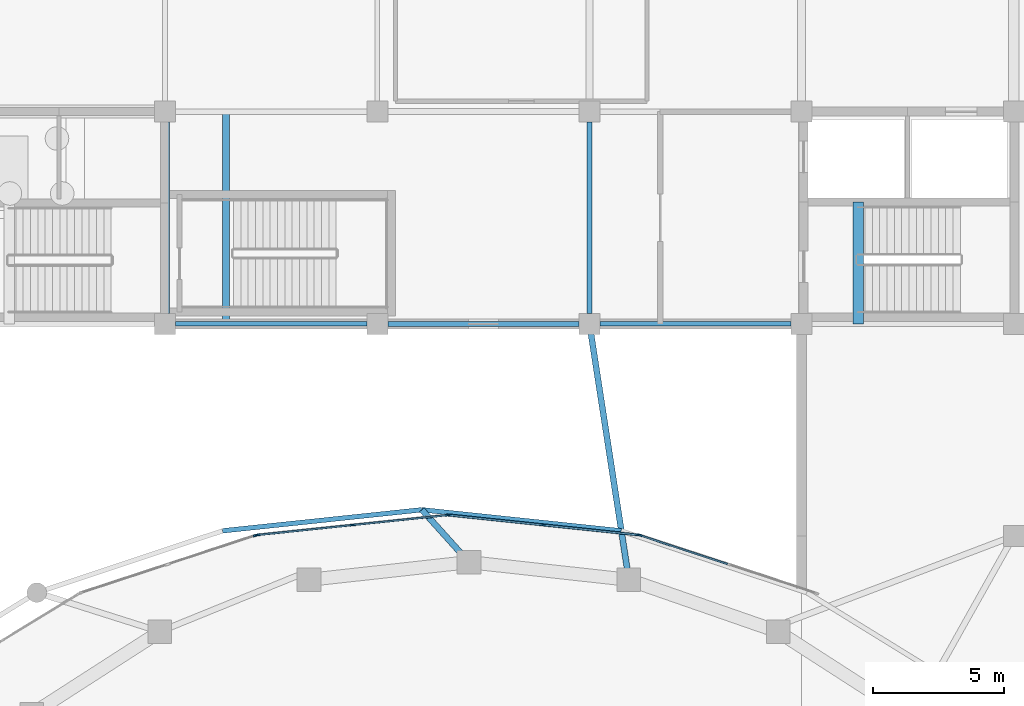
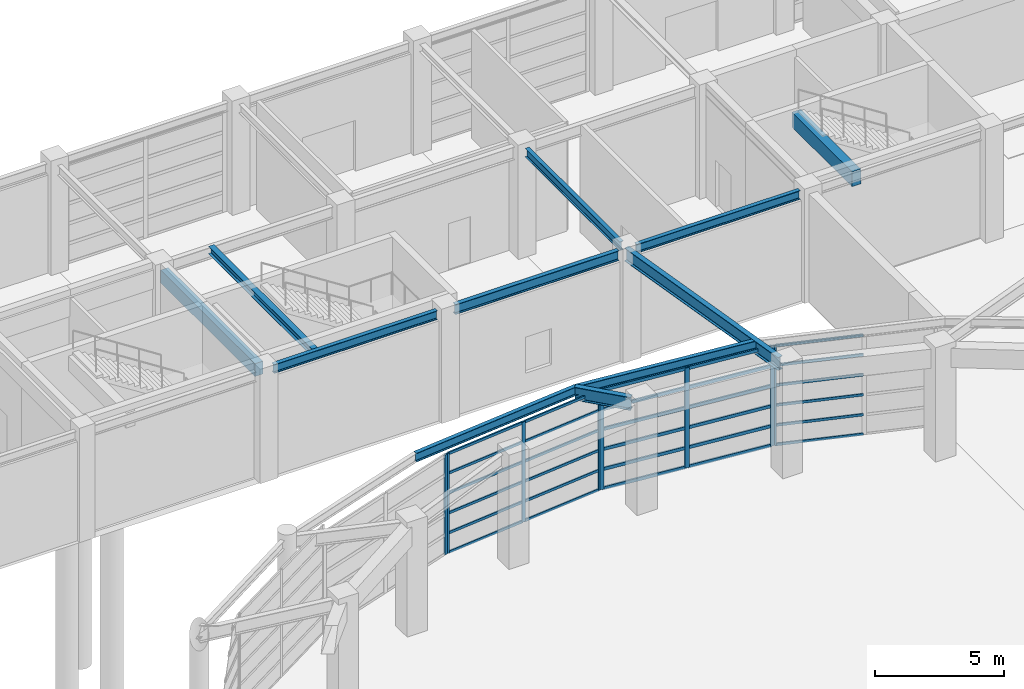
# One storey, part 17 of 52: 38 members, 11 beams, 4 elements without a shape of their own.
"""IFC4 building model written with IfcOpenShell, lengths in metres."""

from ifc_helpers import new_model, si_unit, direction, frame, origin, origin_2d, place, context, subcontext, project, spatial, rectangle, i_section, extrude, material, material_profile, profile_set, type_object, element, aggregate, save


model = new_model("IFC4")

# Units and contexts
model_context = context("Model", 3, precision=1e-05, world=origin(), true_north=direction((0.0, 1.0)))
body_context = subcontext(model_context, "Body", "Model", "MODEL_VIEW")
ifc_project = project(units=[si_unit("LENGTHUNIT", "METRE"), si_unit("AREAUNIT", "SQUARE_METRE"), si_unit("VOLUMEUNIT", "CUBIC_METRE"), si_unit("PLANEANGLEUNIT", "RADIAN"), si_unit("MASSUNIT", "GRAM", prefix="KILO")], contexts=[model_context])

# Site, building, storey
site_placement = place(None, origin())
site = spatial("IfcSite", under=ifc_project, at=site_placement, CompositionType="ELEMENT")
building_placement = place(site_placement, origin())
building = spatial("IfcBuilding", under=site, at=building_placement, Name="Parian Resonance Hall", CompositionType="ELEMENT")
storey_placement = place(building_placement, origin())
storey = spatial("IfcBuildingStorey", under=building, at=storey_placement, Name="L00", CompositionType="ELEMENT", Elevation=0.0)

# Beams
ifc_material_1 = material(Name="Concrete C40/50", Category="concrete")
ifc_material_profile_1 = material_profile(ifc_material_1, rectangle(XDim=0.35009765625, YDim=0.60009765625, at=origin_2d()), Name="RC-BM-350x600")
ifc_profile_set_1 = profile_set([ifc_material_profile_1], Name="Concrete C40/50")
beam_type_1 = type_object("IfcBeamType", Name="BM-RC350x600", PredefinedType="BEAM", material=ifc_profile_set_1)
beam_1_placement = place(storey_placement, frame((32.39990234375, 73.300048828125, 4.800048828125), z_axis=(0.0, 1.0, 0.0), x_axis=(-1.0, 0.0, 0.0)))
element("IfcBeam", 1, at=beam_1_placement, inside=storey, type_object=beam_type_1, Name="GY-L00-0416", PredefinedType="BEAM", context=body_context, shape_type="SweptSolid", body=[
    extrude(rectangle(XDim=0.35009765625, YDim=0.60009765625, at=origin_2d()), origin(), (0.0, 0.0, 1.0), 7.300048828125),
])
ifc_material_2 = material(Name="Concrete C40/50", Category="concrete")
ifc_material_profile_2 = material_profile(ifc_material_2, rectangle(XDim=0.39990234375, YDim=0.699951171875, at=origin_2d()), Name="RC-BM-400x700")
ifc_profile_set_2 = profile_set([ifc_material_profile_2], Name="Concrete C40/50")
beam_type_2 = type_object("IfcBeamType", Name="BM-RC400x700", PredefinedType="BEAM", material=ifc_profile_set_2)
beam_2_placement = place(storey_placement, frame((58.860107421875, 72.89990234375, 4.800048828125), z_axis=(0.0, 1.0, 0.0), x_axis=(-1.0, 0.0, 0.0)))
element("IfcBeam", 2, at=beam_2_placement, inside=storey, type_object=beam_type_2, Name="Core K1 stair arrival trimmer beam L00", PredefinedType="BEAM", context=body_context, shape_type="SweptSolid", body=[
    extrude(rectangle(XDim=0.39990234375, YDim=0.699951171875, at=origin_2d()), origin(), (0.0, 0.0, 1.0), 4.650146484375),
])
ifc_material_3 = material(Name="Steel S355", Category="steel")
ifc_material_profile_3 = material_profile(ifc_material_3, i_section(OverallWidth=0.2548828125, OverallDepth=0.35693359375, WebThickness=0.010498046875, FlangeThickness=0.018310546875, FilletRadius=0.01513671875, at=origin_2d()), Name="W360x101")
ifc_profile_set_3 = profile_set([ifc_material_profile_3], Name="Steel S355")
beam_type_3 = type_object("IfcBeamType", Name="BM-W360x101", PredefinedType="SPANDREL", material=ifc_profile_set_3)
beam_3_placement = place(storey_placement, frame((34.719970703125, 72.89990234375, 4.971435546875), z_axis=(0.0, 1.0, 0.0), x_axis=(-1.0, 0.0, 0.0)))
element("IfcBeam", 3, at=beam_3_placement, inside=storey, type_object=beam_type_3, Name="Feature stair ST-07 arrival header beam L00", PredefinedType="SPANDREL", context=body_context, shape_type="SweptSolid", body=[
    extrude(i_section(OverallWidth=0.2548828125, OverallDepth=0.35693359375, WebThickness=0.010498046875, FlangeThickness=0.018310546875, FilletRadius=0.01513671875, at=origin_2d()), origin(), (0.0, 0.0, 1.0), 8.10009765625),
])
ifc_material_4 = material(Name="Steel S355", Category="steel")
ifc_material_profile_4 = material_profile(ifc_material_4, i_section(OverallWidth=0.180908203125, OverallDepth=0.4169921875, WebThickness=0.010986328125, FlangeThickness=0.018310546875, FilletRadius=0.01513671875, at=origin_2d()), Name="W410x85")
ifc_profile_set_4 = profile_set([ifc_material_profile_4], Name="Steel S355")
beam_type_4 = type_object("IfcBeamType", Name="BM-W410x85", PredefinedType="SPANDREL", material=ifc_profile_set_4)
for number, where, z_axis, x_axis, name in (
    (4, (32.800048828125, 72.89990234375, 4.94140625), (1.0, 0.0, 0.0), (0.0, 1.0, 0.0), "GX-L00-0292"),
    (5, (49.0, 72.89990234375, 4.94140625), (1.0, 0.0, 0.0), (0.0, 1.0, 0.0), "GX-L00-0298"),
    (6, (48.60009765625, 73.300048828125, 4.94140625), (0.0, 1.0, 0.0), (-1.0, 0.0, 0.0), "GY-L00-0419"),
):
    element("IfcBeam", number, at=place(storey_placement, frame(where, z_axis=z_axis, x_axis=x_axis)), inside=storey, type_object=beam_type_4, Name=name, PredefinedType="SPANDREL", context=body_context, shape_type="SweptSolid", body=[
        extrude(i_section(OverallWidth=0.180908203125, OverallDepth=0.4169921875, WebThickness=0.010986328125, FlangeThickness=0.018310546875, FilletRadius=0.01513671875, at=origin_2d()), origin(), (0.0, 0.0, 1.0), 7.300048828125),
    ])
beam_4_placement = place(storey_placement, frame((49.809326171875, 64.995849609375, 4.92138671875), z_axis=(-0.994461658712, 0.105099996913, 0.0), x_axis=(-0.105099996913, -0.994461658712, 0.0)))
element("IfcBeam", 7, at=beam_4_placement, inside=storey, type_object=beam_type_4, Name="Elliptical R1 perimeter spandrel beam 06", PredefinedType="SPANDREL", context=body_context, shape_type="SweptSolid", body=[
    extrude(i_section(OverallWidth=0.180908203125, OverallDepth=0.4169921875, WebThickness=0.010986328125, FlangeThickness=0.018310546875, FilletRadius=0.01513671875, at=origin_2d()), origin(), (0.0, 0.0, 1.0), 7.65185546875),
])
beam_5_placement = place(storey_placement, frame((42.199951171875, 65.800048828125, 4.92138671875), z_axis=(-0.994461306256, -0.105103331819, 0.0), x_axis=(0.105103331819, -0.994461306256, 0.0)))
element("IfcBeam", 8, at=beam_5_placement, inside=storey, type_object=beam_type_4, Name="Elliptical R1 perimeter spandrel beam 07", PredefinedType="SPANDREL", context=body_context, shape_type="SweptSolid", body=[
    extrude(i_section(OverallWidth=0.180908203125, OverallDepth=0.4169921875, WebThickness=0.010986328125, FlangeThickness=0.018310546875, FilletRadius=0.01513671875, at=origin_2d()), origin(), (0.0, 0.0, 1.0), 7.651611328125),
])
ifc_material_5 = material(Name="Steel S355", Category="steel")
ifc_material_profile_5 = material_profile(ifc_material_5, i_section(OverallWidth=0.194091796875, OverallDepth=0.468994140625, WebThickness=0.0126953125, FlangeThickness=0.0205078125, FilletRadius=0.01513671875, at=origin_2d()), Name="W460x106")
ifc_profile_set_5 = profile_set([ifc_material_profile_5], Name="Steel S355")
beam_type_5 = type_object("IfcBeamType", Name="BM-W460x106", PredefinedType="SPANDREL", material=ifc_profile_set_5)
beam_6_placement = place(storey_placement, frame((40.89990234375, 72.89990234375, 4.91552734375), z_axis=(1.0, 0.0, 0.0), x_axis=(0.0, 1.0, 0.0)))
element("IfcBeam", 9, at=beam_6_placement, inside=storey, type_object=beam_type_5, Name="GX-L00-0295", PredefinedType="SPANDREL", context=body_context, shape_type="SweptSolid", body=[
    extrude(i_section(OverallWidth=0.194091796875, OverallDepth=0.468994140625, WebThickness=0.0126953125, FlangeThickness=0.0205078125, FilletRadius=0.01513671875, at=origin_2d()), origin(), (0.0, 0.0, 1.0), 7.300048828125),
])
ifc_material_6 = material(Name="Steel S355", Category="steel")
ifc_material_profile_6 = material_profile(ifc_material_6, i_section(OverallWidth=0.22998046875, OverallDepth=0.616943359375, WebThickness=0.01318359375, FlangeThickness=0.022216796875, FilletRadius=0.017822265625, at=origin_2d()), Name="W610x140")
ifc_profile_set_6 = profile_set([ifc_material_profile_6], Name="Steel S355")
beam_type_6 = type_object("IfcBeamType", Name="CG1 W610x140", PredefinedType="USERDEFINED", material=ifc_profile_set_6)
beam_7_placement = place(storey_placement, frame((50.044921875, 63.520263671875, 4.821533203125), z_axis=(-0.152242761147, 0.988343129524, 0.0), x_axis=(-0.988343129524, -0.152242761147, 0.0)))
element("IfcBeam", 10, at=beam_7_placement, inside=storey, type_object=beam_type_6, Name="Radial spine girder R1-06", ObjectType="GIRDER", PredefinedType="USERDEFINED", context=body_context, shape_type="SweptSolid", body=[
    extrude(i_section(OverallWidth=0.22998046875, OverallDepth=0.616943359375, WebThickness=0.01318359375, FlangeThickness=0.022216796875, FilletRadius=0.017822265625, at=origin_2d()), origin(), (0.0, 0.0, 1.0), 9.490234375),
])
beam_8_placement = place(storey_placement, frame((43.732421875, 64.097412109375, 4.821533203125), z_axis=(-0.668988284372, 0.743272948097, 0.0), x_axis=(-0.743272948097, -0.668988284372, 0.0)))
element("IfcBeam", 11, at=beam_8_placement, inside=storey, type_object=beam_type_6, Name="Radial ring cantilever girder R1-07", ObjectType="GIRDER", PredefinedType="USERDEFINED", context=body_context, shape_type="SweptSolid", body=[
    extrude(i_section(OverallWidth=0.22998046875, OverallDepth=0.616943359375, WebThickness=0.01318359375, FlangeThickness=0.022216796875, FilletRadius=0.017822265625, at=origin_2d()), origin(), (0.0, 0.0, 1.0), 2.290771484375),
])

# Curtain wall, member
ifc_material_7 = material(Name="Bronze-anodised aluminium frame", Category="aluminium")
curtain_wall_type_1 = type_object("IfcCurtainWallType", Name="CW-SYS-05", PredefinedType="NOTDEFINED", material=ifc_material_7)
curtain_wall_1_placement = place(storey_placement, origin())
curtain_wall_1 = element("IfcCurtainWall", 12, at=curtain_wall_1_placement, inside=storey, type_object=curtain_wall_type_1, Name="Grand foyer recessed base curtain wall 05", PredefinedType="NOTDEFINED")
ifc_material_8 = material(Name="Bronze-anodised aluminium frame", Category="aluminium")
ifc_material_profile_7 = material_profile(ifc_material_8, rectangle(XDim=0.06494140625, YDim=0.159912109375, at=origin_2d()), Name="CWM-65x160")
ifc_profile_set_7 = profile_set([ifc_material_profile_7], Name="Bronze-anodised aluminium frame")
member_type_1 = type_object("IfcMemberType", Name="CWM-65x160", PredefinedType="MULLION", material=ifc_profile_set_7)
member_1_placement = place(storey_placement, frame((50.529541015625, 64.82666015625, -0.008056640625), z_axis=(0.0, 0.0, 1.0), x_axis=(0.312529813739, 0.94990795108, 0.0)))
member_1 = element("IfcMember", 13, at=member_1_placement, type_object=member_type_1, Name="CW-05 mullion 1", PredefinedType="MULLION", context=body_context, shape_type="SweptSolid", body=[
    extrude(rectangle(XDim=0.06494140625, YDim=0.159912109375, at=origin_2d()), origin(), (0.0, 0.0, 1.0), 4.72509765625),
])

# Curtain wall, members
ifc_material_9 = material(Name="Bronze-anodised aluminium frame", Category="aluminium")
curtain_wall_type_2 = type_object("IfcCurtainWallType", Name="CW-SYS-01", PredefinedType="NOTDEFINED", material=ifc_material_9)
curtain_wall_2_placement = place(storey_placement, origin())
curtain_wall_2 = element("IfcCurtainWall", 14, at=curtain_wall_2_placement, inside=storey, type_object=curtain_wall_type_2, Name="Grand foyer recessed base curtain wall 07", PredefinedType="NOTDEFINED")
member_2_placement = place(storey_placement, frame((35.93359375, 64.840087890625, -0.008056640625), z_axis=(0.0, 0.0, 1.0), x_axis=(-0.104013017637, 0.994575935845, 0.0)))
member_2 = element("IfcMember", 15, at=member_2_placement, type_object=member_type_1, Name="CW-01 mullion 1", PredefinedType="MULLION", context=body_context, shape_type="SweptSolid", body=[
    extrude(rectangle(XDim=0.06494140625, YDim=0.159912109375, at=origin_2d()), origin(), (0.0, 0.0, 1.0), 4.72509765625),
])
member_3_placement = place(storey_placement, frame((39.550537109375, 65.21826171875, -0.008056640625), z_axis=(0.0, 0.0, 1.0), x_axis=(-0.104013017637, 0.994575935845, 0.0)))
member_3 = element("IfcMember", 16, at=member_3_placement, type_object=member_type_1, Name="CW-01 mullion 2", PredefinedType="MULLION", context=body_context, shape_type="SweptSolid", body=[
    extrude(rectangle(XDim=0.06494140625, YDim=0.159912109375, at=origin_2d()), origin(), (0.0, 0.0, 1.0), 4.72509765625),
])
member_4_placement = place(storey_placement, frame((43.167724609375, 65.5966796875, -0.008056640625), z_axis=(0.0, 0.0, 1.0), x_axis=(-0.104013017637, 0.994575935845, 0.0)))
member_4 = element("IfcMember", 17, at=member_4_placement, type_object=member_type_1, Name="CW-01 mullion 3", PredefinedType="MULLION", context=body_context, shape_type="SweptSolid", body=[
    extrude(rectangle(XDim=0.06494140625, YDim=0.159912109375, at=origin_2d()), origin(), (0.0, 0.0, 1.0), 4.72509765625),
])

ifc_material_10 = material(Name="Bronze-anodised aluminium frame", Category="aluminium")
curtain_wall_type_3 = type_object("IfcCurtainWallType", Name="CW-SYS-06", PredefinedType="NOTDEFINED", material=ifc_material_10)
curtain_wall_3_placement = place(storey_placement, origin())
curtain_wall_3 = element("IfcCurtainWall", 18, at=curtain_wall_3_placement, inside=storey, type_object=curtain_wall_type_3, Name="Grand foyer recessed base curtain wall 06", PredefinedType="NOTDEFINED")
ifc_material_11 = material(Name="Bronze-anodised aluminium frame", Category="aluminium")
ifc_material_profile_8 = material_profile(ifc_material_11, rectangle(XDim=0.074951171875, YDim=0.199951171875, at=origin_2d()), Name="CWM-75x200")
ifc_profile_set_8 = profile_set([ifc_material_profile_8], Name="Bronze-anodised aluminium frame")
member_type_2 = type_object("IfcMemberType", Name="CWM-75x200", PredefinedType="MULLION", material=ifc_profile_set_8)
member_5_placement = place(storey_placement, frame((43.2373046875, 65.59619140625, -0.008056640625), z_axis=(0.0, 0.0, 1.0), x_axis=(0.104013017637, 0.994575935845, 0.0)))
member_5 = element("IfcMember", 19, at=member_5_placement, type_object=member_type_2, Name="CW-06 mullion 1", PredefinedType="MULLION", context=body_context, shape_type="SweptSolid", body=[
    extrude(rectangle(XDim=0.074951171875, YDim=0.199951171875, at=origin_2d()), origin(), (0.0, 0.0, 1.0), 4.72509765625),
])
member_6_placement = place(storey_placement, frame((46.849365234375, 65.21826171875, -0.008056640625), z_axis=(0.0, 0.0, 1.0), x_axis=(0.104013017637, 0.994575935845, 0.0)))
member_6 = element("IfcMember", 20, at=member_6_placement, type_object=member_type_2, Name="CW-06 mullion 2", PredefinedType="MULLION", context=body_context, shape_type="SweptSolid", body=[
    extrude(rectangle(XDim=0.074951171875, YDim=0.199951171875, at=origin_2d()), origin(), (0.0, 0.0, 1.0), 4.72509765625),
])
member_7_placement = place(storey_placement, frame((50.46142578125, 64.840576171875, -0.008056640625), z_axis=(0.0, 0.0, 1.0), x_axis=(0.104013017637, 0.994575935845, 0.0)))
member_7 = element("IfcMember", 21, at=member_7_placement, type_object=member_type_2, Name="CW-06 mullion 3", PredefinedType="MULLION", context=body_context, shape_type="SweptSolid", body=[
    extrude(rectangle(XDim=0.074951171875, YDim=0.199951171875, at=origin_2d()), origin(), (0.0, 0.0, 1.0), 4.72509765625),
])

# Curtain wall, member
ifc_material_12 = material(Name="Bronze-anodised aluminium frame", Category="aluminium")
curtain_wall_type_4 = type_object("IfcCurtainWallType", Name="CW-SYS-02", PredefinedType="NOTDEFINED", material=ifc_material_12)
curtain_wall_4_placement = place(storey_placement, origin())
curtain_wall_4 = element("IfcCurtainWall", 22, at=curtain_wall_4_placement, inside=storey, type_object=curtain_wall_type_4, Name="Grand foyer recessed base curtain wall 08", PredefinedType="NOTDEFINED")
member_8_placement = place(storey_placement, frame((35.86572265625, 64.824951171875, -0.008056640625), z_axis=(0.0, 0.0, 1.0), x_axis=(-0.312529813739, 0.94990795108, 0.0)))
member_8 = element("IfcMember", 23, at=member_8_placement, type_object=member_type_2, Name="CW-02 mullion 3", PredefinedType="MULLION", context=body_context, shape_type="SweptSolid", body=[
    extrude(rectangle(XDim=0.074951171875, YDim=0.199951171875, at=origin_2d()), origin(), (0.0, 0.0, 1.0), 4.72509765625),
])
aggregate(curtain_wall_4, [member_8])

# Member
ifc_material_13 = material(Name="Bronze-anodised aluminium frame", Category="aluminium")
ifc_material_profile_9 = material_profile(ifc_material_13, rectangle(XDim=0.06494140625, YDim=0.1201171875, at=origin_2d()), Name="CWT-65x120")
ifc_profile_set_9 = profile_set([ifc_material_profile_9], Name="Bronze-anodised aluminium frame")
member_type_3 = type_object("IfcMemberType", Name="CWT-65x120", PredefinedType="USERDEFINED", material=ifc_profile_set_9)
member_9_placement = place(storey_placement, frame((50.560546875, 64.81640625, 0.0244140625), z_axis=(0.949903060423, -0.312544678084, 0.0), x_axis=(0.312544678084, 0.949903060423, 0.0)))
member_9 = element("IfcMember", 24, at=member_9_placement, type_object=member_type_3, Name="CW-05 transom 1.1", ObjectType="TRANSOM", PredefinedType="USERDEFINED", context=body_context, shape_type="SweptSolid", body=[
    extrude(rectangle(XDim=0.06494140625, YDim=0.1201171875, at=origin_2d()), origin(), (0.0, 0.0, 1.0), 3.482421875),
])

member_10_placement = place(storey_placement, frame((50.560546875, 64.81640625, 0.94140625), z_axis=(0.949903060423, -0.312544678084, 0.0), x_axis=(0.312544678084, 0.949903060423, 0.0)))
member_10 = element("IfcMember", 25, at=member_10_placement, type_object=member_type_3, Name="CW-05 transom 1.2", ObjectType="TRANSOM", PredefinedType="USERDEFINED", context=body_context, shape_type="SweptSolid", body=[
    extrude(rectangle(XDim=0.06494140625, YDim=0.1201171875, at=origin_2d()), origin(), (0.0, 0.0, 1.0), 3.482421875),
])

member_11_placement = place(storey_placement, frame((50.560546875, 64.81640625, 1.8828125), z_axis=(0.949903060423, -0.312544678084, 0.0), x_axis=(0.312544678084, 0.949903060423, 0.0)))
member_11 = element("IfcMember", 26, at=member_11_placement, type_object=member_type_3, Name="CW-05 transom 1.3", ObjectType="TRANSOM", PredefinedType="USERDEFINED", context=body_context, shape_type="SweptSolid", body=[
    extrude(rectangle(XDim=0.06494140625, YDim=0.1201171875, at=origin_2d()), origin(), (0.0, 0.0, 1.0), 3.482421875),
])

member_12_placement = place(storey_placement, frame((50.560546875, 64.81640625, 2.82421875), z_axis=(0.949903060423, -0.312544678084, 0.0), x_axis=(0.312544678084, 0.949903060423, 0.0)))
member_12 = element("IfcMember", 27, at=member_12_placement, type_object=member_type_3, Name="CW-05 transom 1.4", ObjectType="TRANSOM", PredefinedType="USERDEFINED", context=body_context, shape_type="SweptSolid", body=[
    extrude(rectangle(XDim=0.06494140625, YDim=0.1201171875, at=origin_2d()), origin(), (0.0, 0.0, 1.0), 3.482421875),
])

member_13_placement = place(storey_placement, frame((50.560546875, 64.81640625, 3.765625), z_axis=(0.949903060423, -0.312544678084, 0.0), x_axis=(0.312544678084, 0.949903060423, 0.0)))
member_13 = element("IfcMember", 28, at=member_13_placement, type_object=member_type_3, Name="CW-05 transom 1.5", ObjectType="TRANSOM", PredefinedType="USERDEFINED", context=body_context, shape_type="SweptSolid", body=[
    extrude(rectangle(XDim=0.06494140625, YDim=0.1201171875, at=origin_2d()), origin(), (0.0, 0.0, 1.0), 3.482421875),
])

member_14_placement = place(storey_placement, frame((50.560546875, 64.81640625, 4.6845703125), z_axis=(0.949903060423, -0.312544678084, 0.0), x_axis=(0.312544678084, 0.949903060423, 0.0)))
member_14 = element("IfcMember", 29, at=member_14_placement, type_object=member_type_3, Name="CW-05 transom 1.6", ObjectType="TRANSOM", PredefinedType="USERDEFINED", context=body_context, shape_type="SweptSolid", body=[
    extrude(rectangle(XDim=0.06494140625, YDim=0.1201171875, at=origin_2d()), origin(), (0.0, 0.0, 1.0), 3.482421875),
])

aggregate(curtain_wall_1, [member_1, member_9, member_10, member_11, member_12, member_13, member_14])

member_15_placement = place(storey_placement, frame((35.966064453125, 64.843505859375, 0.0244140625), z_axis=(0.994573410356, 0.104037163613, 0.0), x_axis=(-0.104037163613, 0.994573410356, 0.0)))
member_15 = element("IfcMember", 30, at=member_15_placement, type_object=member_type_3, Name="CW-01 transom 1.1", ObjectType="TRANSOM", PredefinedType="USERDEFINED", context=body_context, shape_type="SweptSolid", body=[
    extrude(rectangle(XDim=0.06494140625, YDim=0.1201171875, at=origin_2d()), origin(), (0.0, 0.0, 1.0), 3.571533203125),
])

member_16_placement = place(storey_placement, frame((35.966064453125, 64.843505859375, 0.94140625), z_axis=(0.994573410356, 0.104037163613, 0.0), x_axis=(-0.104037163613, 0.994573410356, 0.0)))
member_16 = element("IfcMember", 31, at=member_16_placement, type_object=member_type_3, Name="CW-01 transom 1.2", ObjectType="TRANSOM", PredefinedType="USERDEFINED", context=body_context, shape_type="SweptSolid", body=[
    extrude(rectangle(XDim=0.06494140625, YDim=0.1201171875, at=origin_2d()), origin(), (0.0, 0.0, 1.0), 3.571533203125),
])

member_17_placement = place(storey_placement, frame((35.966064453125, 64.843505859375, 1.8828125), z_axis=(0.994573410356, 0.104037163613, 0.0), x_axis=(-0.104037163613, 0.994573410356, 0.0)))
member_17 = element("IfcMember", 32, at=member_17_placement, type_object=member_type_3, Name="CW-01 transom 1.3", ObjectType="TRANSOM", PredefinedType="USERDEFINED", context=body_context, shape_type="SweptSolid", body=[
    extrude(rectangle(XDim=0.06494140625, YDim=0.1201171875, at=origin_2d()), origin(), (0.0, 0.0, 1.0), 3.571533203125),
])

member_18_placement = place(storey_placement, frame((35.966064453125, 64.843505859375, 2.82421875), z_axis=(0.994573410356, 0.104037163613, 0.0), x_axis=(-0.104037163613, 0.994573410356, 0.0)))
member_18 = element("IfcMember", 33, at=member_18_placement, type_object=member_type_3, Name="CW-01 transom 1.4", ObjectType="TRANSOM", PredefinedType="USERDEFINED", context=body_context, shape_type="SweptSolid", body=[
    extrude(rectangle(XDim=0.06494140625, YDim=0.1201171875, at=origin_2d()), origin(), (0.0, 0.0, 1.0), 3.571533203125),
])

member_19_placement = place(storey_placement, frame((35.966064453125, 64.843505859375, 3.765625), z_axis=(0.994573410356, 0.104037163613, 0.0), x_axis=(-0.104037163613, 0.994573410356, 0.0)))
member_19 = element("IfcMember", 34, at=member_19_placement, type_object=member_type_3, Name="CW-01 transom 1.5", ObjectType="TRANSOM", PredefinedType="USERDEFINED", context=body_context, shape_type="SweptSolid", body=[
    extrude(rectangle(XDim=0.06494140625, YDim=0.1201171875, at=origin_2d()), origin(), (0.0, 0.0, 1.0), 3.571533203125),
])

member_20_placement = place(storey_placement, frame((35.966064453125, 64.843505859375, 4.6845703125), z_axis=(0.994573410356, 0.104037163613, 0.0), x_axis=(-0.104037163613, 0.994573410356, 0.0)))
member_20 = element("IfcMember", 35, at=member_20_placement, type_object=member_type_3, Name="CW-01 transom 1.6", ObjectType="TRANSOM", PredefinedType="USERDEFINED", context=body_context, shape_type="SweptSolid", body=[
    extrude(rectangle(XDim=0.06494140625, YDim=0.1201171875, at=origin_2d()), origin(), (0.0, 0.0, 1.0), 3.571533203125),
])

member_21_placement = place(storey_placement, frame((39.5830078125, 65.2216796875, 0.0244140625), z_axis=(0.994573410356, 0.104037163613, 0.0), x_axis=(-0.104037163613, 0.994573410356, 0.0)))
member_21 = element("IfcMember", 36, at=member_21_placement, type_object=member_type_3, Name="CW-01 transom 2.1", ObjectType="TRANSOM", PredefinedType="USERDEFINED", context=body_context, shape_type="SweptSolid", body=[
    extrude(rectangle(XDim=0.06494140625, YDim=0.1201171875, at=origin_2d()), origin(), (0.0, 0.0, 1.0), 3.571533203125),
])

member_22_placement = place(storey_placement, frame((39.5830078125, 65.2216796875, 0.94140625), z_axis=(0.994573410356, 0.104037163613, 0.0), x_axis=(-0.104037163613, 0.994573410356, 0.0)))
member_22 = element("IfcMember", 37, at=member_22_placement, type_object=member_type_3, Name="CW-01 transom 2.2", ObjectType="TRANSOM", PredefinedType="USERDEFINED", context=body_context, shape_type="SweptSolid", body=[
    extrude(rectangle(XDim=0.06494140625, YDim=0.1201171875, at=origin_2d()), origin(), (0.0, 0.0, 1.0), 3.571533203125),
])

member_23_placement = place(storey_placement, frame((39.5830078125, 65.2216796875, 1.8828125), z_axis=(0.994573410356, 0.104037163613, 0.0), x_axis=(-0.104037163613, 0.994573410356, 0.0)))
member_23 = element("IfcMember", 38, at=member_23_placement, type_object=member_type_3, Name="CW-01 transom 2.3", ObjectType="TRANSOM", PredefinedType="USERDEFINED", context=body_context, shape_type="SweptSolid", body=[
    extrude(rectangle(XDim=0.06494140625, YDim=0.1201171875, at=origin_2d()), origin(), (0.0, 0.0, 1.0), 3.571533203125),
])

member_24_placement = place(storey_placement, frame((39.5830078125, 65.2216796875, 2.82421875), z_axis=(0.994573410356, 0.104037163613, 0.0), x_axis=(-0.104037163613, 0.994573410356, 0.0)))
member_24 = element("IfcMember", 39, at=member_24_placement, type_object=member_type_3, Name="CW-01 transom 2.4", ObjectType="TRANSOM", PredefinedType="USERDEFINED", context=body_context, shape_type="SweptSolid", body=[
    extrude(rectangle(XDim=0.06494140625, YDim=0.1201171875, at=origin_2d()), origin(), (0.0, 0.0, 1.0), 3.571533203125),
])

member_25_placement = place(storey_placement, frame((39.5830078125, 65.2216796875, 3.765625), z_axis=(0.994573410356, 0.104037163613, 0.0), x_axis=(-0.104037163613, 0.994573410356, 0.0)))
member_25 = element("IfcMember", 40, at=member_25_placement, type_object=member_type_3, Name="CW-01 transom 2.5", ObjectType="TRANSOM", PredefinedType="USERDEFINED", context=body_context, shape_type="SweptSolid", body=[
    extrude(rectangle(XDim=0.06494140625, YDim=0.1201171875, at=origin_2d()), origin(), (0.0, 0.0, 1.0), 3.571533203125),
])

member_26_placement = place(storey_placement, frame((39.5830078125, 65.2216796875, 4.6845703125), z_axis=(0.994573410356, 0.104037163613, 0.0), x_axis=(-0.104037163613, 0.994573410356, 0.0)))
member_26 = element("IfcMember", 41, at=member_26_placement, type_object=member_type_3, Name="CW-01 transom 2.6", ObjectType="TRANSOM", PredefinedType="USERDEFINED", context=body_context, shape_type="SweptSolid", body=[
    extrude(rectangle(XDim=0.06494140625, YDim=0.1201171875, at=origin_2d()), origin(), (0.0, 0.0, 1.0), 3.571533203125),
])

aggregate(curtain_wall_2, [member_2, member_3, member_4, member_15, member_16, member_17, member_18, member_19, member_20, member_21, member_22, member_23, member_24, member_25, member_26])

ifc_material_14 = material(Name="Bronze-anodised aluminium frame", Category="aluminium")
ifc_material_profile_10 = material_profile(ifc_material_14, rectangle(XDim=0.074951171875, YDim=0.14990234375, at=origin_2d()), Name="CWT-75x150")
ifc_profile_set_10 = profile_set([ifc_material_profile_10], Name="Bronze-anodised aluminium frame")
member_type_4 = type_object("IfcMemberType", Name="CWT-75x150", PredefinedType="USERDEFINED", material=ifc_profile_set_10)
member_27_placement = place(storey_placement, frame((43.274658203125, 65.59228515625, 0.029541015625), z_axis=(0.994570704653, -0.104063026313, 0.0), x_axis=(0.104063026313, 0.994570704653, 0.0)))
member_27 = element("IfcMember", 42, at=member_27_placement, type_object=member_type_4, Name="CW-06 transom 1.1", ObjectType="TRANSOM", PredefinedType="USERDEFINED", context=body_context, shape_type="SweptSolid", body=[
    extrude(rectangle(XDim=0.074951171875, YDim=0.14990234375, at=origin_2d()), origin(), (0.0, 0.0, 1.0), 3.556640625),
])

member_28_placement = place(storey_placement, frame((43.274658203125, 65.59228515625, 0.94140625), z_axis=(0.994570704653, -0.104063026313, 0.0), x_axis=(0.104063026313, 0.994570704653, 0.0)))
member_28 = element("IfcMember", 43, at=member_28_placement, type_object=member_type_4, Name="CW-06 transom 1.2", ObjectType="TRANSOM", PredefinedType="USERDEFINED", context=body_context, shape_type="SweptSolid", body=[
    extrude(rectangle(XDim=0.074951171875, YDim=0.14990234375, at=origin_2d()), origin(), (0.0, 0.0, 1.0), 3.556640625),
])

member_29_placement = place(storey_placement, frame((43.274658203125, 65.59228515625, 1.8828125), z_axis=(0.994570704653, -0.104063026313, 0.0), x_axis=(0.104063026313, 0.994570704653, 0.0)))
member_29 = element("IfcMember", 44, at=member_29_placement, type_object=member_type_4, Name="CW-06 transom 1.3", ObjectType="TRANSOM", PredefinedType="USERDEFINED", context=body_context, shape_type="SweptSolid", body=[
    extrude(rectangle(XDim=0.074951171875, YDim=0.14990234375, at=origin_2d()), origin(), (0.0, 0.0, 1.0), 3.556640625),
])

member_30_placement = place(storey_placement, frame((43.274658203125, 65.59228515625, 2.82421875), z_axis=(0.994570704653, -0.104063026313, 0.0), x_axis=(0.104063026313, 0.994570704653, 0.0)))
member_30 = element("IfcMember", 45, at=member_30_placement, type_object=member_type_4, Name="CW-06 transom 1.4", ObjectType="TRANSOM", PredefinedType="USERDEFINED", context=body_context, shape_type="SweptSolid", body=[
    extrude(rectangle(XDim=0.074951171875, YDim=0.14990234375, at=origin_2d()), origin(), (0.0, 0.0, 1.0), 3.556640625),
])

member_31_placement = place(storey_placement, frame((43.274658203125, 65.59228515625, 3.765625), z_axis=(0.994570704653, -0.104063026313, 0.0), x_axis=(0.104063026313, 0.994570704653, 0.0)))
member_31 = element("IfcMember", 46, at=member_31_placement, type_object=member_type_4, Name="CW-06 transom 1.5", ObjectType="TRANSOM", PredefinedType="USERDEFINED", context=body_context, shape_type="SweptSolid", body=[
    extrude(rectangle(XDim=0.074951171875, YDim=0.14990234375, at=origin_2d()), origin(), (0.0, 0.0, 1.0), 3.556640625),
])

member_32_placement = place(storey_placement, frame((43.274658203125, 65.59228515625, 4.679443359375), z_axis=(0.994570704653, -0.104063026313, 0.0), x_axis=(0.104063026313, 0.994570704653, 0.0)))
member_32 = element("IfcMember", 47, at=member_32_placement, type_object=member_type_4, Name="CW-06 transom 1.6", ObjectType="TRANSOM", PredefinedType="USERDEFINED", context=body_context, shape_type="SweptSolid", body=[
    extrude(rectangle(XDim=0.074951171875, YDim=0.14990234375, at=origin_2d()), origin(), (0.0, 0.0, 1.0), 3.556640625),
])

member_33_placement = place(storey_placement, frame((46.88671875, 65.21435546875, 0.029541015625), z_axis=(0.994577806818, -0.103995125773, 0.0), x_axis=(0.103995125773, 0.994577806818, 0.0)))
member_33 = element("IfcMember", 48, at=member_33_placement, type_object=member_type_4, Name="CW-06 transom 2.1", ObjectType="TRANSOM", PredefinedType="USERDEFINED", context=body_context, shape_type="SweptSolid", body=[
    extrude(rectangle(XDim=0.074951171875, YDim=0.14990234375, at=origin_2d()), origin(), (0.0, 0.0, 1.0), 3.556640625),
])

member_34_placement = place(storey_placement, frame((46.88671875, 65.21435546875, 0.94140625), z_axis=(0.994577806818, -0.103995125773, 0.0), x_axis=(0.103995125773, 0.994577806818, 0.0)))
member_34 = element("IfcMember", 49, at=member_34_placement, type_object=member_type_4, Name="CW-06 transom 2.2", ObjectType="TRANSOM", PredefinedType="USERDEFINED", context=body_context, shape_type="SweptSolid", body=[
    extrude(rectangle(XDim=0.074951171875, YDim=0.14990234375, at=origin_2d()), origin(), (0.0, 0.0, 1.0), 3.556640625),
])

member_35_placement = place(storey_placement, frame((46.88671875, 65.21435546875, 1.8828125), z_axis=(0.994577806818, -0.103995125773, 0.0), x_axis=(0.103995125773, 0.994577806818, 0.0)))
member_35 = element("IfcMember", 50, at=member_35_placement, type_object=member_type_4, Name="CW-06 transom 2.3", ObjectType="TRANSOM", PredefinedType="USERDEFINED", context=body_context, shape_type="SweptSolid", body=[
    extrude(rectangle(XDim=0.074951171875, YDim=0.14990234375, at=origin_2d()), origin(), (0.0, 0.0, 1.0), 3.556640625),
])

member_36_placement = place(storey_placement, frame((46.88671875, 65.21435546875, 2.82421875), z_axis=(0.994577806818, -0.103995125773, 0.0), x_axis=(0.103995125773, 0.994577806818, 0.0)))
member_36 = element("IfcMember", 51, at=member_36_placement, type_object=member_type_4, Name="CW-06 transom 2.4", ObjectType="TRANSOM", PredefinedType="USERDEFINED", context=body_context, shape_type="SweptSolid", body=[
    extrude(rectangle(XDim=0.074951171875, YDim=0.14990234375, at=origin_2d()), origin(), (0.0, 0.0, 1.0), 3.556640625),
])

member_37_placement = place(storey_placement, frame((46.88671875, 65.21435546875, 3.765625), z_axis=(0.994577806818, -0.103995125773, 0.0), x_axis=(0.103995125773, 0.994577806818, 0.0)))
member_37 = element("IfcMember", 52, at=member_37_placement, type_object=member_type_4, Name="CW-06 transom 2.5", ObjectType="TRANSOM", PredefinedType="USERDEFINED", context=body_context, shape_type="SweptSolid", body=[
    extrude(rectangle(XDim=0.074951171875, YDim=0.14990234375, at=origin_2d()), origin(), (0.0, 0.0, 1.0), 3.556640625),
])

member_38_placement = place(storey_placement, frame((46.88671875, 65.21435546875, 4.679443359375), z_axis=(0.994577806818, -0.103995125773, 0.0), x_axis=(0.103995125773, 0.994577806818, 0.0)))
member_38 = element("IfcMember", 53, at=member_38_placement, type_object=member_type_4, Name="CW-06 transom 2.6", ObjectType="TRANSOM", PredefinedType="USERDEFINED", context=body_context, shape_type="SweptSolid", body=[
    extrude(rectangle(XDim=0.074951171875, YDim=0.14990234375, at=origin_2d()), origin(), (0.0, 0.0, 1.0), 3.556640625),
])

aggregate(curtain_wall_3, [member_5, member_6, member_7, member_27, member_28, member_29, member_30, member_31, member_32, member_33, member_34, member_35, member_36, member_37, member_38])

save(model, "model.ifc")
